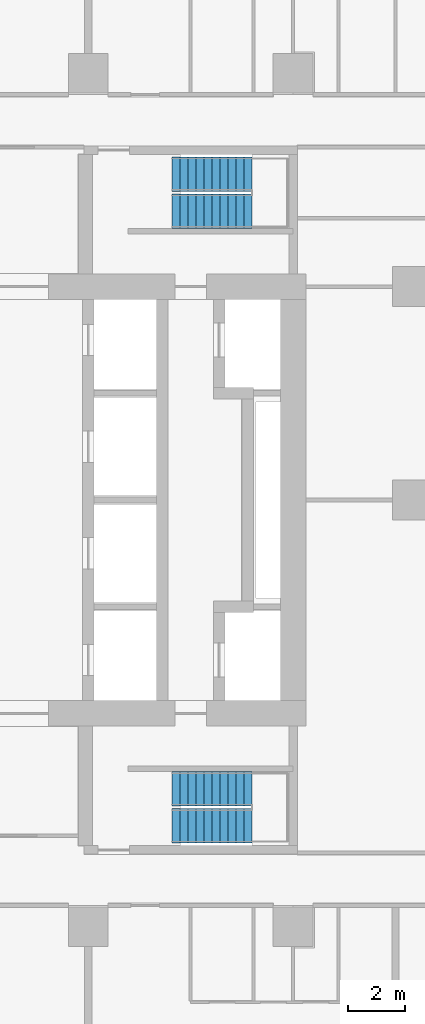
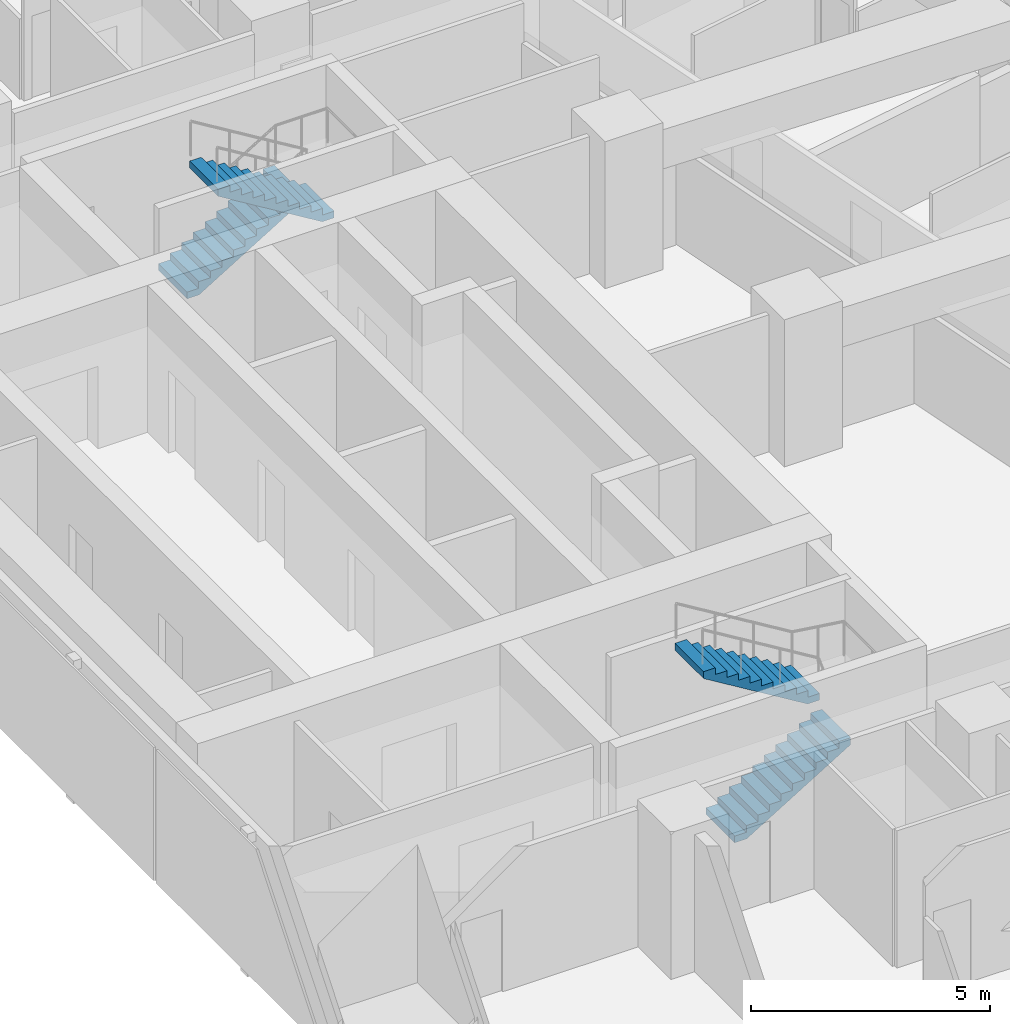
# One storey, part 9 of 10: 4 stair flights, 2 elements without a shape of their own.
"""IFC4 building model written with IfcOpenShell, lengths in metres."""

from ifc_helpers import new_model, si_unit, direction, frame, origin, place, context, subcontext, project, spatial, triangles, material, type_object, element, aggregate, save


model = new_model("IFC4")

# Units and contexts
model_context = context("Model", 3, precision=1e-05, world=origin(), true_north=direction((0.0, 1.0)))
body_context = subcontext(model_context, "Body", "Model", "MODEL_VIEW")
ifc_project = project(units=[si_unit("LENGTHUNIT", "METRE"), si_unit("AREAUNIT", "SQUARE_METRE"), si_unit("VOLUMEUNIT", "CUBIC_METRE"), si_unit("PLANEANGLEUNIT", "RADIAN"), si_unit("MASSUNIT", "GRAM", prefix="KILO")], contexts=[model_context])

# Site, building, storey
site_placement = place(None, origin())
site = spatial("IfcSite", under=ifc_project, at=site_placement, CompositionType="ELEMENT")
building_placement = place(site_placement, origin())
building = spatial("IfcBuilding", under=site, at=building_placement, Name="Sheger Commons Tower", CompositionType="ELEMENT")
storey_placement = place(building_placement, frame((0.0, 0.0, 234.949951171875)))
storey = spatial("IfcBuildingStorey", under=building, at=storey_placement, Name="L60", CompositionType="ELEMENT", Elevation=234.949951171875)

# Stair, stair flights
ifc_material_1 = material(Name="Concrete C35/45", Category="concrete")
stair_type = type_object("IfcStairType", Name="HALF-TURN STAIR 1200 RISE 3750", PredefinedType="HALF_TURN_STAIR", material=ifc_material_1)
stair_1_placement = place(storey_placement, origin())
stair_1 = element("IfcStair", 1, at=stair_1_placement, inside=storey, type_object=stair_type, Name="Stair S1 L60", PredefinedType="HALF_TURN_STAIR")
ifc_material_2 = material(Name="Concrete C35/45", Category="concrete")
stair_flight_type = type_object("IfcStairFlightType", Name="STAIR FLIGHT 1200 11 RISERS OF 170", PredefinedType="STRAIGHT", material=ifc_material_2)
stair_flight_1_placement = place(storey_placement, frame((24.550048828125, 11.050048828125, 0.0), z_axis=(0.0, 0.0, 1.0), x_axis=(1.0, 0.0, 0.0)))
stair_flight_1 = element("IfcStairFlight", 2, at=stair_flight_1_placement, type_object=stair_flight_type, Name="S1 flight 1", NumberOfRisers=11, NumberOfTreads=10, PredefinedType="STRAIGHT", RiserHeight=0.170454545, TreadLength=0.28, context=body_context, shape_type="Tessellation", body=[
    triangles([(0.0, 0.5999755859375, 0.0), (0.0, 0.5999755859375, 0.17041015625), (0.280029296875, 0.5999755859375, 0.17041015625), (0.280029296875, 0.5999755859375, 0.3408203125), (0.56005859375, 0.5999755859375, 0.3408203125), (0.56005859375, 0.5999755859375, 0.511474609375), (0.840087890625, 0.5999755859375, 0.511474609375), (0.840087890625, 0.5999755859375, 0.681884765625), (1.1201171875, 0.5999755859375, 0.681884765625), (1.1201171875, 0.5999755859375, 0.852294921875), (1.39990234375, 0.5999755859375, 0.852294921875), (1.39990234375, 0.5999755859375, 1.022705078125), (1.679931640625, 0.5999755859375, 1.022705078125), (1.679931640625, 0.5999755859375, 1.193115234375), (1.9599609375, 0.5999755859375, 1.193115234375), (1.9599609375, 0.5999755859375, 1.363525390625), (2.239990234375, 0.5999755859375, 1.363525390625), (2.239990234375, 0.5999755859375, 1.5341796875), (2.52001953125, 0.5999755859375, 1.5341796875), (2.52001953125, 0.5999755859375, 1.70458984375), (2.800048828125, 0.5999755859375, 1.70458984375), (2.800048828125, 0.5999755859375, 1.529052734375), (0.288330078125, 0.5999755859375, 0.0), (0.0, -0.5999755859375, 0.0), (0.0, -0.5999755859375, 0.17041015625), (0.280029296875, -0.5999755859375, 0.17041015625), (0.280029296875, -0.5999755859375, 0.3408203125), (0.56005859375, -0.5999755859375, 0.3408203125), (0.56005859375, -0.5999755859375, 0.511474609375), (0.840087890625, -0.5999755859375, 0.511474609375), (0.840087890625, -0.5999755859375, 0.681884765625), (1.1201171875, -0.5999755859375, 0.681884765625), (1.1201171875, -0.5999755859375, 0.852294921875), (1.39990234375, -0.5999755859375, 0.852294921875), (1.39990234375, -0.5999755859375, 1.022705078125), (1.679931640625, -0.5999755859375, 1.022705078125), (1.679931640625, -0.5999755859375, 1.193115234375), (1.9599609375, -0.5999755859375, 1.193115234375), (1.9599609375, -0.5999755859375, 1.363525390625), (2.239990234375, -0.5999755859375, 1.363525390625), (2.239990234375, -0.5999755859375, 1.5341796875), (2.52001953125, -0.5999755859375, 1.5341796875), (2.52001953125, -0.5999755859375, 1.70458984375), (2.800048828125, -0.5999755859375, 1.70458984375), (2.800048828125, -0.5999755859375, 1.529052734375), (0.288330078125, -0.5999755859375, 0.0), (0.0, 0.0, 0.085205078125), (0.1400146484375, 0.0, 0.17041015625), (0.280029296875, 0.0, 0.255615234375), (0.4200439453125, 0.0, 0.3408203125), (0.56005859375, 0.0, 0.4261474609375), (0.7000732421875, 0.0, 0.511474609375), (0.840087890625, 0.0, 0.5966796875), (0.9801025390625, 0.0, 0.681884765625), (1.1201171875, 0.0, 0.76708984375), (1.260009765625, 0.0, 0.852294921875), (1.39990234375, 0.0, 0.9375), (1.5399169921875, 0.0, 1.022705078125), (1.679931640625, 0.0, 1.10791015625), (1.8199462890625, 0.0, 1.193115234375), (1.9599609375, 0.0, 1.2783203125), (2.0999755859375, 0.0, 1.363525390625), (2.239990234375, 0.0, 1.4488525390625), (2.3800048828125, 0.0, 1.5341796875), (2.52001953125, 0.0, 1.619384765625), (2.6600341796875, 0.0, 1.70458984375), (2.800048828125, 0.0, 1.6168212890625), (1.544189453125, 0.0, 0.7645263671875), (0.1441650390625, 0.0, 0.0)], [[1, 22, 23], [24, 46, 45], [22, 20, 21], [45, 44, 43], [22, 19, 20], [45, 43, 42], [22, 18, 19], [45, 42, 41], [22, 17, 18], [45, 41, 40], [17, 15, 16], [40, 39, 38], [22, 15, 17], [45, 40, 38], [15, 13, 14], [38, 37, 36], [22, 13, 15], [45, 38, 36], [13, 11, 12], [36, 35, 34], [22, 11, 13], [45, 36, 34], [11, 9, 10], [34, 33, 32], [22, 9, 11], [45, 34, 32], [9, 7, 8], [32, 31, 30], [22, 7, 9], [45, 32, 30], [7, 5, 6], [30, 29, 28], [22, 5, 7], [45, 30, 28], [5, 3, 4], [28, 27, 26], [22, 3, 5], [45, 28, 26], [1, 3, 22], [24, 45, 26], [3, 1, 2], [26, 25, 24], [1, 47, 2], [2, 47, 25], [25, 47, 24], [24, 47, 1], [2, 48, 3], [3, 48, 26], [26, 48, 25], [25, 48, 2], [3, 49, 4], [4, 49, 27], [27, 49, 26], [26, 49, 3], [4, 50, 5], [5, 50, 28], [28, 50, 27], [27, 50, 4], [5, 51, 6], [6, 51, 29], [29, 51, 28], [28, 51, 5], [6, 52, 7], [7, 52, 30], [30, 52, 29], [29, 52, 6], [7, 53, 8], [8, 53, 31], [31, 53, 30], [30, 53, 7], [8, 54, 9], [9, 54, 32], [32, 54, 31], [31, 54, 8], [9, 55, 10], [10, 55, 33], [33, 55, 32], [32, 55, 9], [10, 56, 11], [11, 56, 34], [34, 56, 33], [33, 56, 10], [11, 57, 12], [12, 57, 35], [35, 57, 34], [34, 57, 11], [12, 58, 13], [13, 58, 36], [36, 58, 35], [35, 58, 12], [13, 59, 14], [14, 59, 37], [37, 59, 36], [36, 59, 13], [14, 60, 15], [15, 60, 38], [38, 60, 37], [37, 60, 14], [15, 61, 16], [16, 61, 39], [39, 61, 38], [38, 61, 15], [16, 62, 17], [17, 62, 40], [40, 62, 39], [39, 62, 16], [17, 63, 18], [18, 63, 41], [41, 63, 40], [40, 63, 17], [18, 64, 19], [19, 64, 42], [42, 64, 41], [41, 64, 18], [19, 65, 20], [20, 65, 43], [43, 65, 42], [42, 65, 19], [20, 66, 21], [21, 66, 44], [44, 66, 43], [43, 66, 20], [21, 67, 22], [22, 67, 45], [45, 67, 44], [44, 67, 21], [22, 68, 23], [23, 68, 46], [46, 68, 45], [45, 68, 22], [23, 69, 1], [1, 69, 24], [24, 69, 46], [46, 69, 23]], closed=True),
])
stair_flight_2_placement = place(storey_placement, frame((27.35009765625, 12.35009765625, 1.875), z_axis=(0.0, 0.0, 1.0), x_axis=(-1.0, 0.0, 0.0)))
stair_flight_2 = element("IfcStairFlight", 3, at=stair_flight_2_placement, type_object=stair_flight_type, Name="S1 flight 2", NumberOfRisers=11, NumberOfTreads=10, PredefinedType="STRAIGHT", RiserHeight=0.170454545, TreadLength=0.28, context=body_context, shape_type="Tessellation", body=[
    triangles([(0.0, 0.5999755859375, 0.0), (0.0, 0.5999755859375, 0.17041015625), (0.280029296875, 0.5999755859375, 0.17041015625), (0.280029296875, 0.5999755859375, 0.3408203125), (0.56005859375, 0.5999755859375, 0.3408203125), (0.56005859375, 0.5999755859375, 0.511474609375), (0.840087890625, 0.5999755859375, 0.511474609375), (0.840087890625, 0.5999755859375, 0.681884765625), (1.1201171875, 0.5999755859375, 0.681884765625), (1.1201171875, 0.5999755859375, 0.852294921875), (1.39990234375, 0.5999755859375, 0.852294921875), (1.39990234375, 0.5999755859375, 1.022705078125), (1.679931640625, 0.5999755859375, 1.022705078125), (1.679931640625, 0.5999755859375, 1.193115234375), (1.9599609375, 0.5999755859375, 1.193115234375), (1.9599609375, 0.5999755859375, 1.363525390625), (2.239990234375, 0.5999755859375, 1.363525390625), (2.239990234375, 0.5999755859375, 1.5341796875), (2.52001953125, 0.5999755859375, 1.5341796875), (2.52001953125, 0.5999755859375, 1.70458984375), (2.800048828125, 0.5999755859375, 1.70458984375), (2.800048828125, 0.5999755859375, 1.529052734375), (0.288330078125, 0.5999755859375, 0.0), (0.0, -0.5999755859375, 0.0), (0.0, -0.5999755859375, 0.17041015625), (0.280029296875, -0.5999755859375, 0.17041015625), (0.280029296875, -0.5999755859375, 0.3408203125), (0.56005859375, -0.5999755859375, 0.3408203125), (0.56005859375, -0.5999755859375, 0.511474609375), (0.840087890625, -0.5999755859375, 0.511474609375), (0.840087890625, -0.5999755859375, 0.681884765625), (1.1201171875, -0.5999755859375, 0.681884765625), (1.1201171875, -0.5999755859375, 0.852294921875), (1.39990234375, -0.5999755859375, 0.852294921875), (1.39990234375, -0.5999755859375, 1.022705078125), (1.679931640625, -0.5999755859375, 1.022705078125), (1.679931640625, -0.5999755859375, 1.193115234375), (1.9599609375, -0.5999755859375, 1.193115234375), (1.9599609375, -0.5999755859375, 1.363525390625), (2.239990234375, -0.5999755859375, 1.363525390625), (2.239990234375, -0.5999755859375, 1.5341796875), (2.52001953125, -0.5999755859375, 1.5341796875), (2.52001953125, -0.5999755859375, 1.70458984375), (2.800048828125, -0.5999755859375, 1.70458984375), (2.800048828125, -0.5999755859375, 1.529052734375), (0.288330078125, -0.5999755859375, 0.0), (0.0, 0.0, 0.085205078125), (0.1400146484375, 0.0, 0.17041015625), (0.280029296875, 0.0, 0.255615234375), (0.4200439453125, 0.0, 0.3408203125), (0.56005859375, 0.0, 0.4261474609375), (0.7000732421875, 0.0, 0.511474609375), (0.840087890625, 0.0, 0.5966796875), (0.9801025390625, 0.0, 0.681884765625), (1.1201171875, 0.0, 0.76708984375), (1.260009765625, 0.0, 0.852294921875), (1.39990234375, 0.0, 0.9375), (1.5399169921875, 0.0, 1.022705078125), (1.679931640625, 0.0, 1.10791015625), (1.8199462890625, 0.0, 1.193115234375), (1.9599609375, 0.0, 1.2783203125), (2.0999755859375, 0.0, 1.363525390625), (2.239990234375, 0.0, 1.4488525390625), (2.3800048828125, 0.0, 1.5341796875), (2.52001953125, 0.0, 1.619384765625), (2.6600341796875, 0.0, 1.70458984375), (2.800048828125, 0.0, 1.6168212890625), (1.544189453125, 0.0, 0.7645263671875), (0.1441650390625, 0.0, 0.0)], [[1, 22, 23], [24, 46, 45], [22, 20, 21], [45, 44, 43], [22, 19, 20], [45, 43, 42], [22, 18, 19], [45, 42, 41], [22, 17, 18], [45, 41, 40], [17, 15, 16], [40, 39, 38], [22, 15, 17], [45, 40, 38], [15, 13, 14], [38, 37, 36], [22, 13, 15], [45, 38, 36], [13, 11, 12], [36, 35, 34], [22, 11, 13], [45, 36, 34], [11, 9, 10], [34, 33, 32], [22, 9, 11], [45, 34, 32], [9, 7, 8], [32, 31, 30], [22, 7, 9], [45, 32, 30], [7, 5, 6], [30, 29, 28], [22, 5, 7], [45, 30, 28], [5, 3, 4], [28, 27, 26], [22, 3, 5], [45, 28, 26], [1, 3, 22], [24, 45, 26], [3, 1, 2], [26, 25, 24], [1, 47, 2], [2, 47, 25], [25, 47, 24], [24, 47, 1], [2, 48, 3], [3, 48, 26], [26, 48, 25], [25, 48, 2], [3, 49, 4], [4, 49, 27], [27, 49, 26], [26, 49, 3], [4, 50, 5], [5, 50, 28], [28, 50, 27], [27, 50, 4], [5, 51, 6], [6, 51, 29], [29, 51, 28], [28, 51, 5], [6, 52, 7], [7, 52, 30], [30, 52, 29], [29, 52, 6], [7, 53, 8], [8, 53, 31], [31, 53, 30], [30, 53, 7], [8, 54, 9], [9, 54, 32], [32, 54, 31], [31, 54, 8], [9, 55, 10], [10, 55, 33], [33, 55, 32], [32, 55, 9], [10, 56, 11], [11, 56, 34], [34, 56, 33], [33, 56, 10], [11, 57, 12], [12, 57, 35], [35, 57, 34], [34, 57, 11], [12, 58, 13], [13, 58, 36], [36, 58, 35], [35, 58, 12], [13, 59, 14], [14, 59, 37], [37, 59, 36], [36, 59, 13], [14, 60, 15], [15, 60, 38], [38, 60, 37], [37, 60, 14], [15, 61, 16], [16, 61, 39], [39, 61, 38], [38, 61, 15], [16, 62, 17], [17, 62, 40], [40, 62, 39], [39, 62, 16], [17, 63, 18], [18, 63, 41], [41, 63, 40], [40, 63, 17], [18, 64, 19], [19, 64, 42], [42, 64, 41], [41, 64, 18], [19, 65, 20], [20, 65, 43], [43, 65, 42], [42, 65, 19], [20, 66, 21], [21, 66, 44], [44, 66, 43], [43, 66, 20], [21, 67, 22], [22, 67, 45], [45, 67, 44], [44, 67, 21], [22, 68, 23], [23, 68, 46], [46, 68, 45], [45, 68, 22], [23, 69, 1], [1, 69, 24], [24, 69, 46], [46, 69, 23]], closed=True),
])
aggregate(stair_1, [stair_flight_1, stair_flight_2])

stair_2_placement = place(storey_placement, origin())
stair_2 = element("IfcStair", 4, at=stair_2_placement, inside=storey, type_object=stair_type, Name="Stair S2 L60", PredefinedType="HALF_TURN_STAIR")
stair_flight_3_placement = place(storey_placement, frame((24.550048828125, 33.949951171875, 0.0), z_axis=(0.0, 0.0, 1.0), x_axis=(1.0, 0.0, 0.0)))
stair_flight_3 = element("IfcStairFlight", 5, at=stair_flight_3_placement, type_object=stair_flight_type, Name="S2 flight 1", NumberOfRisers=11, NumberOfTreads=10, PredefinedType="STRAIGHT", RiserHeight=0.170454545, TreadLength=0.28, context=body_context, shape_type="Tessellation", body=[
    triangles([(0.0, 0.5999755859375, 0.0), (0.0, 0.5999755859375, 0.17041015625), (0.280029296875, 0.5999755859375, 0.17041015625), (0.280029296875, 0.5999755859375, 0.3408203125), (0.56005859375, 0.5999755859375, 0.3408203125), (0.56005859375, 0.5999755859375, 0.511474609375), (0.840087890625, 0.5999755859375, 0.511474609375), (0.840087890625, 0.5999755859375, 0.681884765625), (1.1201171875, 0.5999755859375, 0.681884765625), (1.1201171875, 0.5999755859375, 0.852294921875), (1.39990234375, 0.5999755859375, 0.852294921875), (1.39990234375, 0.5999755859375, 1.022705078125), (1.679931640625, 0.5999755859375, 1.022705078125), (1.679931640625, 0.5999755859375, 1.193115234375), (1.9599609375, 0.5999755859375, 1.193115234375), (1.9599609375, 0.5999755859375, 1.363525390625), (2.239990234375, 0.5999755859375, 1.363525390625), (2.239990234375, 0.5999755859375, 1.5341796875), (2.52001953125, 0.5999755859375, 1.5341796875), (2.52001953125, 0.5999755859375, 1.70458984375), (2.800048828125, 0.5999755859375, 1.70458984375), (2.800048828125, 0.5999755859375, 1.529052734375), (0.288330078125, 0.5999755859375, 0.0), (0.0, -0.5999755859375, 0.0), (0.0, -0.5999755859375, 0.17041015625), (0.280029296875, -0.5999755859375, 0.17041015625), (0.280029296875, -0.5999755859375, 0.3408203125), (0.56005859375, -0.5999755859375, 0.3408203125), (0.56005859375, -0.5999755859375, 0.511474609375), (0.840087890625, -0.5999755859375, 0.511474609375), (0.840087890625, -0.5999755859375, 0.681884765625), (1.1201171875, -0.5999755859375, 0.681884765625), (1.1201171875, -0.5999755859375, 0.852294921875), (1.39990234375, -0.5999755859375, 0.852294921875), (1.39990234375, -0.5999755859375, 1.022705078125), (1.679931640625, -0.5999755859375, 1.022705078125), (1.679931640625, -0.5999755859375, 1.193115234375), (1.9599609375, -0.5999755859375, 1.193115234375), (1.9599609375, -0.5999755859375, 1.363525390625), (2.239990234375, -0.5999755859375, 1.363525390625), (2.239990234375, -0.5999755859375, 1.5341796875), (2.52001953125, -0.5999755859375, 1.5341796875), (2.52001953125, -0.5999755859375, 1.70458984375), (2.800048828125, -0.5999755859375, 1.70458984375), (2.800048828125, -0.5999755859375, 1.529052734375), (0.288330078125, -0.5999755859375, 0.0), (0.0, 0.0, 0.085205078125), (0.1400146484375, 0.0, 0.17041015625), (0.280029296875, 0.0, 0.255615234375), (0.4200439453125, 0.0, 0.3408203125), (0.56005859375, 0.0, 0.4261474609375), (0.7000732421875, 0.0, 0.511474609375), (0.840087890625, 0.0, 0.5966796875), (0.9801025390625, 0.0, 0.681884765625), (1.1201171875, 0.0, 0.76708984375), (1.260009765625, 0.0, 0.852294921875), (1.39990234375, 0.0, 0.9375), (1.5399169921875, 0.0, 1.022705078125), (1.679931640625, 0.0, 1.10791015625), (1.8199462890625, 0.0, 1.193115234375), (1.9599609375, 0.0, 1.2783203125), (2.0999755859375, 0.0, 1.363525390625), (2.239990234375, 0.0, 1.4488525390625), (2.3800048828125, 0.0, 1.5341796875), (2.52001953125, 0.0, 1.619384765625), (2.6600341796875, 0.0, 1.70458984375), (2.800048828125, 0.0, 1.6168212890625), (1.544189453125, 0.0, 0.7645263671875), (0.1441650390625, 0.0, 0.0)], [[1, 22, 23], [24, 46, 45], [22, 20, 21], [45, 44, 43], [22, 19, 20], [45, 43, 42], [22, 18, 19], [45, 42, 41], [22, 17, 18], [45, 41, 40], [17, 15, 16], [40, 39, 38], [22, 15, 17], [45, 40, 38], [15, 13, 14], [38, 37, 36], [22, 13, 15], [45, 38, 36], [13, 11, 12], [36, 35, 34], [22, 11, 13], [45, 36, 34], [11, 9, 10], [34, 33, 32], [22, 9, 11], [45, 34, 32], [9, 7, 8], [32, 31, 30], [22, 7, 9], [45, 32, 30], [7, 5, 6], [30, 29, 28], [22, 5, 7], [45, 30, 28], [5, 3, 4], [28, 27, 26], [22, 3, 5], [45, 28, 26], [1, 3, 22], [24, 45, 26], [3, 1, 2], [26, 25, 24], [1, 47, 2], [2, 47, 25], [25, 47, 24], [24, 47, 1], [2, 48, 3], [3, 48, 26], [26, 48, 25], [25, 48, 2], [3, 49, 4], [4, 49, 27], [27, 49, 26], [26, 49, 3], [4, 50, 5], [5, 50, 28], [28, 50, 27], [27, 50, 4], [5, 51, 6], [6, 51, 29], [29, 51, 28], [28, 51, 5], [6, 52, 7], [7, 52, 30], [30, 52, 29], [29, 52, 6], [7, 53, 8], [8, 53, 31], [31, 53, 30], [30, 53, 7], [8, 54, 9], [9, 54, 32], [32, 54, 31], [31, 54, 8], [9, 55, 10], [10, 55, 33], [33, 55, 32], [32, 55, 9], [10, 56, 11], [11, 56, 34], [34, 56, 33], [33, 56, 10], [11, 57, 12], [12, 57, 35], [35, 57, 34], [34, 57, 11], [12, 58, 13], [13, 58, 36], [36, 58, 35], [35, 58, 12], [13, 59, 14], [14, 59, 37], [37, 59, 36], [36, 59, 13], [14, 60, 15], [15, 60, 38], [38, 60, 37], [37, 60, 14], [15, 61, 16], [16, 61, 39], [39, 61, 38], [38, 61, 15], [16, 62, 17], [17, 62, 40], [40, 62, 39], [39, 62, 16], [17, 63, 18], [18, 63, 41], [41, 63, 40], [40, 63, 17], [18, 64, 19], [19, 64, 42], [42, 64, 41], [41, 64, 18], [19, 65, 20], [20, 65, 43], [43, 65, 42], [42, 65, 19], [20, 66, 21], [21, 66, 44], [44, 66, 43], [43, 66, 20], [21, 67, 22], [22, 67, 45], [45, 67, 44], [44, 67, 21], [22, 68, 23], [23, 68, 46], [46, 68, 45], [45, 68, 22], [23, 69, 1], [1, 69, 24], [24, 69, 46], [46, 69, 23]], closed=True),
])
stair_flight_4_placement = place(storey_placement, frame((27.35009765625, 32.64990234375, 1.875), z_axis=(0.0, 0.0, 1.0), x_axis=(-1.0, 0.0, 0.0)))
stair_flight_4 = element("IfcStairFlight", 6, at=stair_flight_4_placement, type_object=stair_flight_type, Name="S2 flight 2", NumberOfRisers=11, NumberOfTreads=10, PredefinedType="STRAIGHT", RiserHeight=0.170454545, TreadLength=0.28, context=body_context, shape_type="Tessellation", body=[
    triangles([(0.0, 0.5999755859375, 0.0), (0.0, 0.5999755859375, 0.17041015625), (0.280029296875, 0.5999755859375, 0.17041015625), (0.280029296875, 0.5999755859375, 0.3408203125), (0.56005859375, 0.5999755859375, 0.3408203125), (0.56005859375, 0.5999755859375, 0.511474609375), (0.840087890625, 0.5999755859375, 0.511474609375), (0.840087890625, 0.5999755859375, 0.681884765625), (1.1201171875, 0.5999755859375, 0.681884765625), (1.1201171875, 0.5999755859375, 0.852294921875), (1.39990234375, 0.5999755859375, 0.852294921875), (1.39990234375, 0.5999755859375, 1.022705078125), (1.679931640625, 0.5999755859375, 1.022705078125), (1.679931640625, 0.5999755859375, 1.193115234375), (1.9599609375, 0.5999755859375, 1.193115234375), (1.9599609375, 0.5999755859375, 1.363525390625), (2.239990234375, 0.5999755859375, 1.363525390625), (2.239990234375, 0.5999755859375, 1.5341796875), (2.52001953125, 0.5999755859375, 1.5341796875), (2.52001953125, 0.5999755859375, 1.70458984375), (2.800048828125, 0.5999755859375, 1.70458984375), (2.800048828125, 0.5999755859375, 1.529052734375), (0.288330078125, 0.5999755859375, 0.0), (0.0, -0.5999755859375, 0.0), (0.0, -0.5999755859375, 0.17041015625), (0.280029296875, -0.5999755859375, 0.17041015625), (0.280029296875, -0.5999755859375, 0.3408203125), (0.56005859375, -0.5999755859375, 0.3408203125), (0.56005859375, -0.5999755859375, 0.511474609375), (0.840087890625, -0.5999755859375, 0.511474609375), (0.840087890625, -0.5999755859375, 0.681884765625), (1.1201171875, -0.5999755859375, 0.681884765625), (1.1201171875, -0.5999755859375, 0.852294921875), (1.39990234375, -0.5999755859375, 0.852294921875), (1.39990234375, -0.5999755859375, 1.022705078125), (1.679931640625, -0.5999755859375, 1.022705078125), (1.679931640625, -0.5999755859375, 1.193115234375), (1.9599609375, -0.5999755859375, 1.193115234375), (1.9599609375, -0.5999755859375, 1.363525390625), (2.239990234375, -0.5999755859375, 1.363525390625), (2.239990234375, -0.5999755859375, 1.5341796875), (2.52001953125, -0.5999755859375, 1.5341796875), (2.52001953125, -0.5999755859375, 1.70458984375), (2.800048828125, -0.5999755859375, 1.70458984375), (2.800048828125, -0.5999755859375, 1.529052734375), (0.288330078125, -0.5999755859375, 0.0), (0.0, 0.0, 0.085205078125), (0.1400146484375, 0.0, 0.17041015625), (0.280029296875, 0.0, 0.255615234375), (0.4200439453125, 0.0, 0.3408203125), (0.56005859375, 0.0, 0.4261474609375), (0.7000732421875, 0.0, 0.511474609375), (0.840087890625, 0.0, 0.5966796875), (0.9801025390625, 0.0, 0.681884765625), (1.1201171875, 0.0, 0.76708984375), (1.260009765625, 0.0, 0.852294921875), (1.39990234375, 0.0, 0.9375), (1.5399169921875, 0.0, 1.022705078125), (1.679931640625, 0.0, 1.10791015625), (1.8199462890625, 0.0, 1.193115234375), (1.9599609375, 0.0, 1.2783203125), (2.0999755859375, 0.0, 1.363525390625), (2.239990234375, 0.0, 1.4488525390625), (2.3800048828125, 0.0, 1.5341796875), (2.52001953125, 0.0, 1.619384765625), (2.6600341796875, 0.0, 1.70458984375), (2.800048828125, 0.0, 1.6168212890625), (1.544189453125, 0.0, 0.7645263671875), (0.1441650390625, 0.0, 0.0)], [[1, 22, 23], [24, 46, 45], [22, 20, 21], [45, 44, 43], [22, 19, 20], [45, 43, 42], [22, 18, 19], [45, 42, 41], [22, 17, 18], [45, 41, 40], [17, 15, 16], [40, 39, 38], [22, 15, 17], [45, 40, 38], [15, 13, 14], [38, 37, 36], [22, 13, 15], [45, 38, 36], [13, 11, 12], [36, 35, 34], [22, 11, 13], [45, 36, 34], [11, 9, 10], [34, 33, 32], [22, 9, 11], [45, 34, 32], [9, 7, 8], [32, 31, 30], [22, 7, 9], [45, 32, 30], [7, 5, 6], [30, 29, 28], [22, 5, 7], [45, 30, 28], [5, 3, 4], [28, 27, 26], [22, 3, 5], [45, 28, 26], [1, 3, 22], [24, 45, 26], [3, 1, 2], [26, 25, 24], [1, 47, 2], [2, 47, 25], [25, 47, 24], [24, 47, 1], [2, 48, 3], [3, 48, 26], [26, 48, 25], [25, 48, 2], [3, 49, 4], [4, 49, 27], [27, 49, 26], [26, 49, 3], [4, 50, 5], [5, 50, 28], [28, 50, 27], [27, 50, 4], [5, 51, 6], [6, 51, 29], [29, 51, 28], [28, 51, 5], [6, 52, 7], [7, 52, 30], [30, 52, 29], [29, 52, 6], [7, 53, 8], [8, 53, 31], [31, 53, 30], [30, 53, 7], [8, 54, 9], [9, 54, 32], [32, 54, 31], [31, 54, 8], [9, 55, 10], [10, 55, 33], [33, 55, 32], [32, 55, 9], [10, 56, 11], [11, 56, 34], [34, 56, 33], [33, 56, 10], [11, 57, 12], [12, 57, 35], [35, 57, 34], [34, 57, 11], [12, 58, 13], [13, 58, 36], [36, 58, 35], [35, 58, 12], [13, 59, 14], [14, 59, 37], [37, 59, 36], [36, 59, 13], [14, 60, 15], [15, 60, 38], [38, 60, 37], [37, 60, 14], [15, 61, 16], [16, 61, 39], [39, 61, 38], [38, 61, 15], [16, 62, 17], [17, 62, 40], [40, 62, 39], [39, 62, 16], [17, 63, 18], [18, 63, 41], [41, 63, 40], [40, 63, 17], [18, 64, 19], [19, 64, 42], [42, 64, 41], [41, 64, 18], [19, 65, 20], [20, 65, 43], [43, 65, 42], [42, 65, 19], [20, 66, 21], [21, 66, 44], [44, 66, 43], [43, 66, 20], [21, 67, 22], [22, 67, 45], [45, 67, 44], [44, 67, 21], [22, 68, 23], [23, 68, 46], [46, 68, 45], [45, 68, 22], [23, 69, 1], [1, 69, 24], [24, 69, 46], [46, 69, 23]], closed=True),
])
aggregate(stair_2, [stair_flight_3, stair_flight_4])

save(model, "model.ifc")
